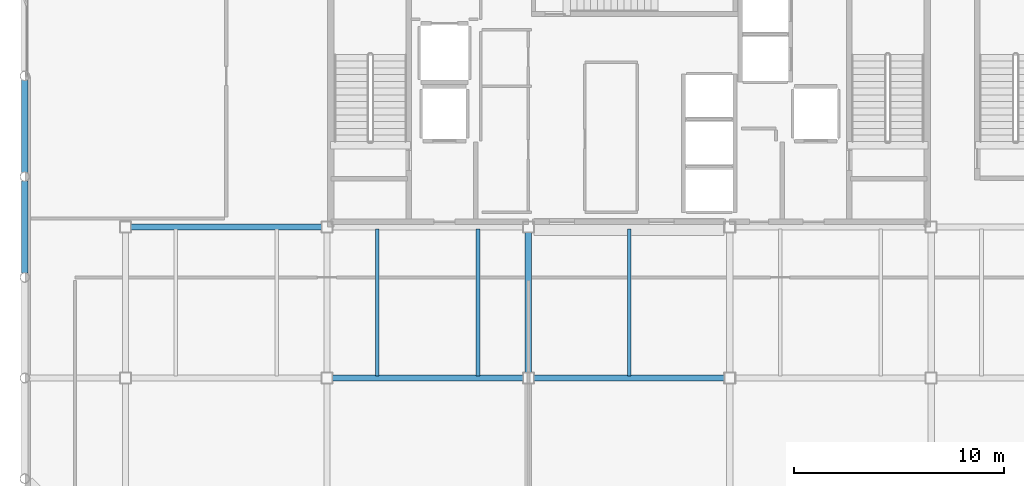
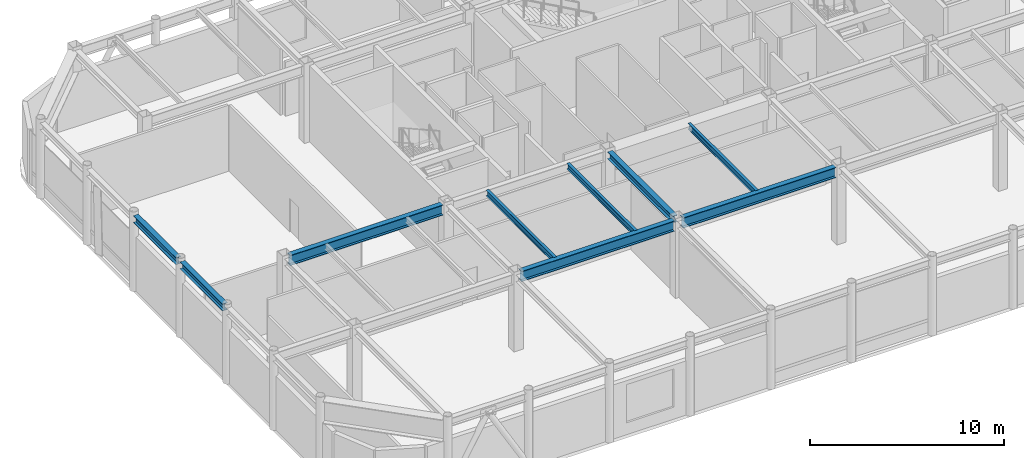
# One storey, part 6 of 21: 9 beams.
"""IFC4 building model written with IfcOpenShell, lengths in metres."""

from ifc_helpers import new_model, si_unit, direction, frame, origin, origin_2d, place, context, subcontext, project, spatial, i_section, extrude, material, material_profile, profile_set, type_object, element, save


model = new_model("IFC4")

# Units and contexts
model_context = context("Model", 3, precision=1e-05, world=origin(), true_north=direction((0.0, 1.0)))
body_context = subcontext(model_context, "Body", "Model", "MODEL_VIEW")
ifc_project = project(units=[si_unit("LENGTHUNIT", "METRE"), si_unit("AREAUNIT", "SQUARE_METRE"), si_unit("VOLUMEUNIT", "CUBIC_METRE"), si_unit("PLANEANGLEUNIT", "RADIAN"), si_unit("MASSUNIT", "GRAM", prefix="KILO")], contexts=[model_context])

# Site, building, storey
site_placement = place(None, origin())
site = spatial("IfcSite", under=ifc_project, at=site_placement, CompositionType="ELEMENT")
building_placement = place(site_placement, origin())
building = spatial("IfcBuilding", under=site, at=building_placement, Name="Kallvorn Hotel Tower", CompositionType="ELEMENT")
storey_placement = place(building_placement, frame((0.0, 0.0, 290.60009765625)))
storey = spatial("IfcBuildingStorey", under=building, at=storey_placement, Name="L72", CompositionType="ELEMENT", Elevation=290.60009765625)

# Beams
ifc_material_1 = material(Name="Structural steel S355JR", Category="steel")
ifc_material_profile_1 = material_profile(ifc_material_1, i_section(OverallWidth=0.300048828125, OverallDepth=0.43994140625, WebThickness=0.011474609375, FlangeThickness=0.02099609375, at=origin_2d()), Name="HE 450 A")
ifc_profile_set_1 = profile_set([ifc_material_profile_1], Name="Structural steel S355JR")
beam_type_1 = type_object("IfcBeamType", Name="BM_HE450A", PredefinedType="BEAM", material=ifc_profile_set_1)
beam_1_placement = place(storey_placement, frame((-28.800048828125, -9.396484375, 4.579833984375), z_axis=(0.0, 1.0, 0.0), x_axis=(-1.0, 0.0, 0.0)))
element("IfcBeam", 1, at=beam_1_placement, inside=storey, type_object=beam_type_1, Name="L73 Primary Y-Girder 27", PredefinedType="BEAM", context=body_context, shape_type="SweptSolid", body=[
    extrude(i_section(OverallWidth=0.300048828125, OverallDepth=0.43994140625, WebThickness=0.011474609375, FlangeThickness=0.02099609375, at=origin_2d()), origin(), (0.0, 0.0, 1.0), 4.39306640625),
])
beam_2_placement = place(storey_placement, frame((-28.800048828125, -4.596435546875, 4.579833984375), z_axis=(0.0, 1.0, 0.0), x_axis=(-1.0, 0.0, 0.0)))
element("IfcBeam", 2, at=beam_2_placement, inside=storey, type_object=beam_type_1, Name="L73 Primary Y-Girder 28", PredefinedType="BEAM", context=body_context, shape_type="SweptSolid", body=[
    extrude(i_section(OverallWidth=0.300048828125, OverallDepth=0.43994140625, WebThickness=0.011474609375, FlangeThickness=0.02099609375, at=origin_2d()), origin(), (0.0, 0.0, 1.0), 4.392822265625),
])
beam_3_placement = place(storey_placement, frame((-4.800048828125, -14.14990234375, 4.579833984375), z_axis=(0.0, 1.0, 0.0), x_axis=(-1.0, 0.0, 0.0)))
element("IfcBeam", 3, at=beam_3_placement, inside=storey, type_object=beam_type_1, Name="L73 Primary Y-Girder 38", PredefinedType="BEAM", context=body_context, shape_type="SweptSolid", body=[
    extrude(i_section(OverallWidth=0.300048828125, OverallDepth=0.43994140625, WebThickness=0.011474609375, FlangeThickness=0.02099609375, at=origin_2d()), origin(), (0.0, 0.0, 1.0), 6.699951171875),
])
ifc_material_2 = material(Name="Structural steel S355JR", Category="steel")
ifc_material_profile_2 = material_profile(ifc_material_2, i_section(OverallWidth=0.300048828125, OverallDepth=0.64990234375, WebThickness=0.01611328125, FlangeThickness=0.031005859375, at=origin_2d()), Name="HE 650 B")
ifc_profile_set_2 = profile_set([ifc_material_profile_2], Name="Structural steel S355JR")
beam_type_2 = type_object("IfcBeamType", Name="BM_HE650B", PredefinedType="BEAM", material=ifc_profile_set_2)
beam_4_placement = place(storey_placement, frame((-14.14990234375, -14.39990234375, 4.474853515625), z_axis=(1.0, 0.0, 0.0), x_axis=(0.0, 1.0, 0.0)))
element("IfcBeam", 4, at=beam_4_placement, inside=storey, type_object=beam_type_2, Name="L73 Primary X-Girder 03", PredefinedType="BEAM", context=body_context, shape_type="SweptSolid", body=[
    extrude(i_section(OverallWidth=0.300048828125, OverallDepth=0.64990234375, WebThickness=0.01611328125, FlangeThickness=0.031005859375, at=origin_2d()), origin(), (0.0, 0.0, 1.0), 9.099853515625),
])
for number, where, z_axis, x_axis, name in (
    (5, (-4.550048828125, -14.39990234375, 4.474853515625), (1.0, 0.0, 0.0), (0.0, 1.0, 0.0), "L73 Primary X-Girder 04"),
    (6, (-23.75, -7.199951171875, 4.474853515625), (1.0, 0.0, 0.0), (0.0, 1.0, 0.0), "L73 Primary X-Girder 07"),
):
    element("IfcBeam", number, at=place(storey_placement, frame(where, z_axis=z_axis, x_axis=x_axis)), inside=storey, type_object=beam_type_2, Name=name, PredefinedType="BEAM", context=body_context, shape_type="SweptSolid", body=[
        extrude(i_section(OverallWidth=0.300048828125, OverallDepth=0.64990234375, WebThickness=0.01611328125, FlangeThickness=0.031005859375, at=origin_2d()), origin(), (0.0, 0.0, 1.0), 9.10009765625),
    ])
ifc_material_3 = material(Name="Structural steel S355JR", Category="steel")
ifc_material_profile_3 = material_profile(ifc_material_3, i_section(OverallWidth=0.169921875, OverallDepth=0.360107421875, WebThickness=0.008056640625, FlangeThickness=0.0126953125, at=origin_2d()), Name="IPE 360")
ifc_profile_set_3 = profile_set([ifc_material_profile_3], Name="Structural steel S355JR")
beam_type_3 = type_object("IfcBeamType", Name="BM_IPE360", PredefinedType="JOIST", material=ifc_profile_set_3)
for number, where, z_axis, x_axis, name in (
    (7, (-12.0, -14.300048828125, 4.619873046875), (0.0, 1.0, 0.0), (-1.0, 0.0, 0.0), "L73 Secondary Composite Joist 94"),
    (8, (-7.199951171875, -14.300048828125, 4.619873046875), (0.0, 1.0, 0.0), (-1.0, 0.0, 0.0), "L73 Secondary Composite Joist 96"),
    (9, (0.0, -14.300048828125, 4.619873046875), (0.0, 1.0, 0.0), (-1.0, 0.0, 0.0), "L73 Secondary Composite Joist 98"),
):
    element("IfcBeam", number, at=place(storey_placement, frame(where, z_axis=z_axis, x_axis=x_axis)), inside=storey, type_object=beam_type_3, Name=name, PredefinedType="JOIST", context=body_context, shape_type="SweptSolid", body=[
        extrude(i_section(OverallWidth=0.169921875, OverallDepth=0.360107421875, WebThickness=0.008056640625, FlangeThickness=0.0126953125, at=origin_2d()), origin(), (0.0, 0.0, 1.0), 7.0),
    ])

save(model, "model.ifc")
